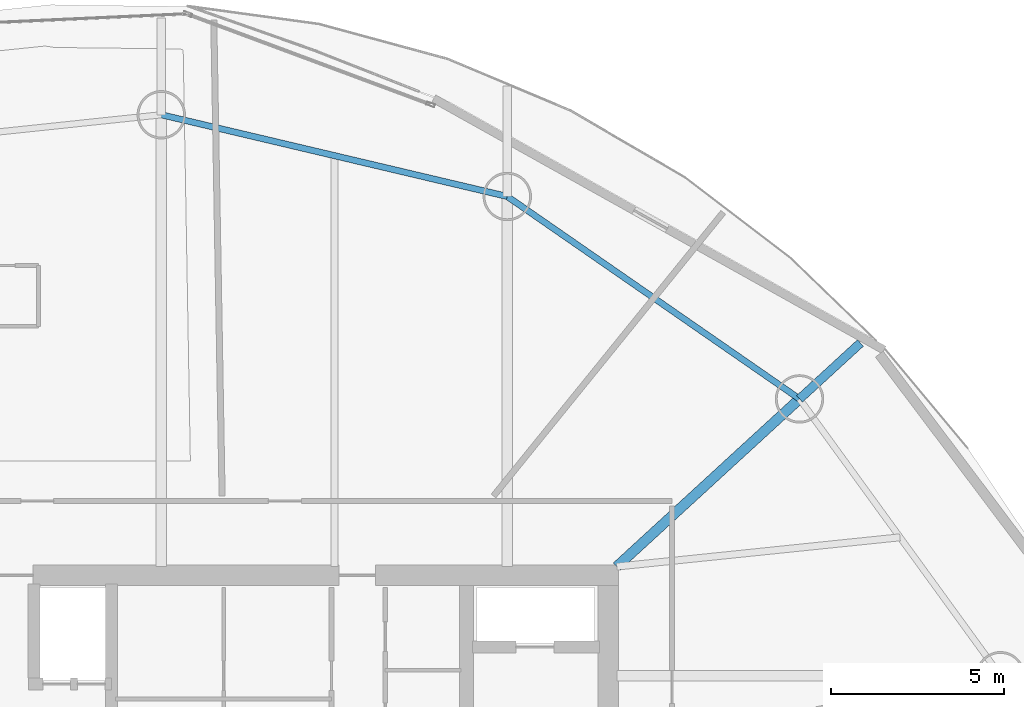
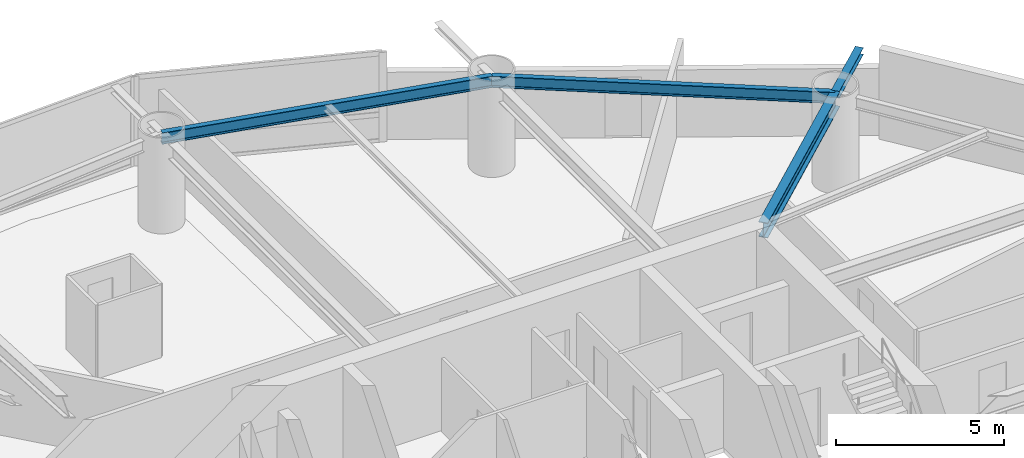
# One storey, part 11 of 19: 4 beams.
"""IFC4 building model written with IfcOpenShell, lengths in metres."""

from ifc_helpers import new_model, si_unit, direction, frame, origin, origin_2d, place, context, subcontext, project, spatial, i_section, extrude, material, material_profile, profile_set, type_object, element, save


model = new_model("IFC4")

# Units and contexts
model_context = context("Model", 3, precision=1e-05, world=origin(), true_north=direction((0.0, 1.0)))
body_context = subcontext(model_context, "Body", "Model", "MODEL_VIEW")
ifc_project = project(units=[si_unit("LENGTHUNIT", "METRE"), si_unit("AREAUNIT", "SQUARE_METRE"), si_unit("VOLUMEUNIT", "CUBIC_METRE"), si_unit("PLANEANGLEUNIT", "RADIAN"), si_unit("MASSUNIT", "GRAM", prefix="KILO")], contexts=[model_context])

# Site, building, storey
site_placement = place(None, origin())
site = spatial("IfcSite", under=ifc_project, at=site_placement, CompositionType="ELEMENT")
building_placement = place(site_placement, origin())
building = spatial("IfcBuilding", under=site, at=building_placement, Name="Bramvorn Convention Spire", CompositionType="ELEMENT")
storey_placement = place(building_placement, frame((0.0, 0.0, 109.800048828125)))
storey = spatial("IfcBuildingStorey", under=building, at=storey_placement, Name="L26", CompositionType="ELEMENT", Elevation=109.800048828125)

# Beams
ifc_material = material(Name="Steel CSA G40.21 Grade 350 (350W)", Category="steel")
ifc_material_profile_1 = material_profile(ifc_material, i_section(OverallWidth=0.25390625, OverallDepth=0.2529296875, WebThickness=0.008544921875, FlangeThickness=0.01416015625, FilletRadius=0.011962890625, at=origin_2d()))
ifc_profile_set_1 = profile_set([ifc_material_profile_1], Name="Steel CSA G40.21 Grade 350 (350W) - W250X73")
beam_type_1 = type_object("IfcBeamType", Name="BM-W250X73", PredefinedType="BEAM", material=ifc_profile_set_1)
beam_1_placement = place(storey_placement, frame((54.534912109375, 38.299072265625, 3.133544921875), z_axis=(0.7368193481, 0.676089674722, 0.0), x_axis=(-0.676089674722, 0.7368193481, 0.0)))
element("IfcBeam", 1, at=beam_1_placement, inside=storey, type_object=beam_type_1, Name="L26 slab-edge cantilever tip beam MC04", PredefinedType="BEAM", context=body_context, shape_type="SweptSolid", body=[
    extrude(i_section(OverallWidth=0.25390625, OverallDepth=0.2529296875, WebThickness=0.008544921875, FlangeThickness=0.01416015625, FilletRadius=0.011962890625, at=origin_2d()), origin(), (0.0, 0.0, 1.0), 2.39208984375),
])
ifc_material_profile_2 = material_profile(ifc_material, i_section(OverallWidth=0.180908203125, OverallDepth=0.4169921875, WebThickness=0.010986328125, FlangeThickness=0.018310546875, FilletRadius=0.01611328125, at=origin_2d()))
ifc_profile_set_2 = profile_set([ifc_material_profile_2], Name="Steel CSA G40.21 Grade 350 (350W) - W410X85")
beam_type_2 = type_object("IfcBeamType", Name="BM-W410X85", PredefinedType="JOIST", material=ifc_profile_set_2)
beam_2_placement = place(storey_placement, frame((54.534912109375, 38.299072265625, 3.051513671875), z_axis=(-0.822033166673, 0.569439613032, 0.0), x_axis=(-0.569439613032, -0.822033166673, 0.0)))
element("IfcBeam", 2, at=beam_2_placement, inside=storey, type_object=beam_type_2, Name="L26 mega-column ring beam 04", PredefinedType="JOIST", context=body_context, shape_type="SweptSolid", body=[
    extrude(i_section(OverallWidth=0.180908203125, OverallDepth=0.4169921875, WebThickness=0.010986328125, FlangeThickness=0.018310546875, FilletRadius=0.01611328125, at=origin_2d()), origin(), (0.0, 0.0, 1.0), 10.281982421875),
])
beam_3_placement = place(storey_placement, frame((46.082763671875, 44.154052734375, 3.051513671875), z_axis=(-0.97322750491, 0.229843911572, 0.0), x_axis=(-0.229843911572, -0.97322750491, 0.0)))
element("IfcBeam", 3, at=beam_3_placement, inside=storey, type_object=beam_type_2, Name="L26 mega-column ring beam 05", PredefinedType="JOIST", context=body_context, shape_type="SweptSolid", body=[
    extrude(i_section(OverallWidth=0.180908203125, OverallDepth=0.4169921875, WebThickness=0.010986328125, FlangeThickness=0.018310546875, FilletRadius=0.01611328125, at=origin_2d()), origin(), (0.0, 0.0, 1.0), 10.2822265625),
])
ifc_material_profile_3 = material_profile(ifc_material, i_section(OverallWidth=0.2919921875, OverallDepth=0.551025390625, WebThickness=0.01513671875, FlangeThickness=0.0244140625, FilletRadius=0.01904296875, at=origin_2d()))
ifc_profile_set_3 = profile_set([ifc_material_profile_3], Name="Steel CSA G40.21 Grade 350 (350W) - W530X182")
beam_type_3 = type_object("IfcBeamType", Name="BM-W530X182", PredefinedType="BEAM", material=ifc_profile_set_3)
beam_4_placement = place(storey_placement, frame((49.25, 33.449951171875, 2.984375), z_axis=(0.736833323746, 0.676074443399, 0.0), x_axis=(-0.676074443399, 0.736833323746, 0.0)))
element("IfcBeam", 4, at=beam_4_placement, inside=storey, type_object=beam_type_3, Name="L26 radial floor girder MC04", PredefinedType="BEAM", context=body_context, shape_type="SweptSolid", body=[
    extrude(i_section(OverallWidth=0.2919921875, OverallDepth=0.551025390625, WebThickness=0.01513671875, FlangeThickness=0.0244140625, FilletRadius=0.01904296875, at=origin_2d()), origin(), (0.0, 0.0, 1.0), 7.17236328125),
])

save(model, "model.ifc")
